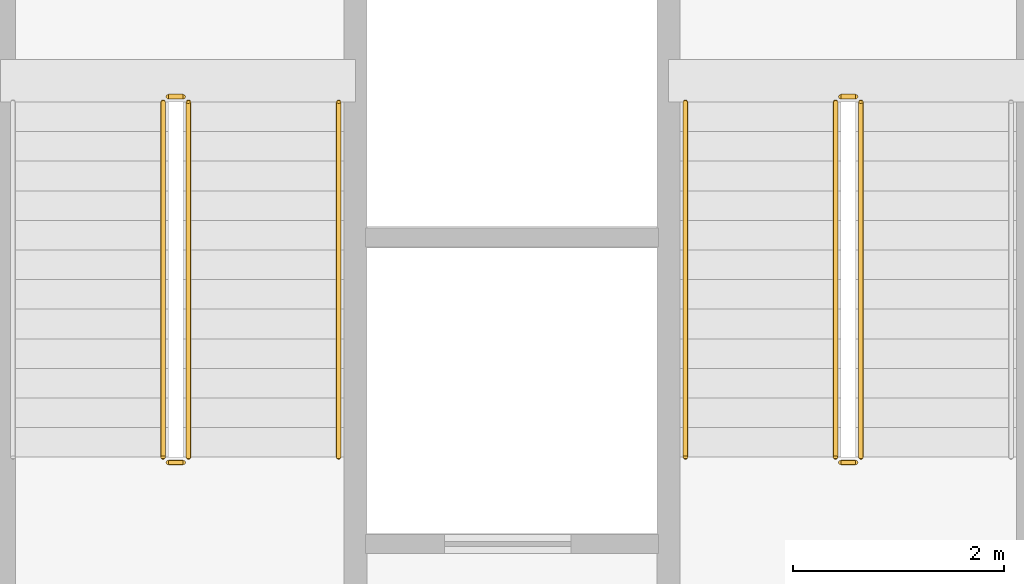
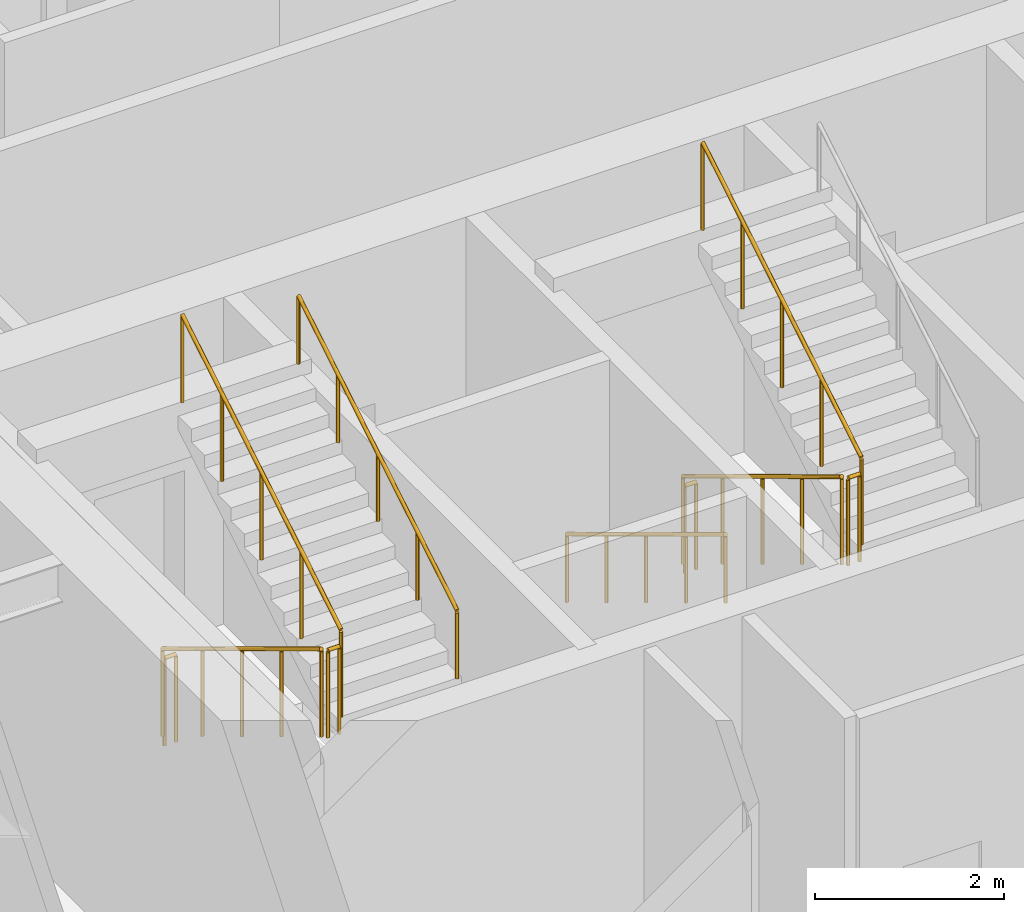
# One storey, part 14 of 16: 10 railings.
"""IFC4 building model written with IfcOpenShell, lengths in metres."""

from ifc_helpers import new_model, si_unit, direction, frame, origin, origin_2d, place, context, subcontext, project, spatial, circle, extrude, material, type_object, element, save


model = new_model("IFC4")

# Units and contexts
model_context = context("Model", 3, precision=1e-05, world=origin(), true_north=direction((0.0, 1.0)))
body_context = subcontext(model_context, "Body", "Model", "MODEL_VIEW")
ifc_project = project(units=[si_unit("LENGTHUNIT", "METRE"), si_unit("AREAUNIT", "SQUARE_METRE"), si_unit("VOLUMEUNIT", "CUBIC_METRE"), si_unit("PLANEANGLEUNIT", "RADIAN"), si_unit("MASSUNIT", "GRAM", prefix="KILO")], contexts=[model_context])

# Site, building, storey
site_placement = place(None, origin())
site = spatial("IfcSite", under=ifc_project, at=site_placement, CompositionType="ELEMENT")
building_placement = place(site_placement, origin())
building = spatial("IfcBuilding", under=site, at=building_placement, Name="Haolan Belvedere Tower", CompositionType="ELEMENT")
storey_placement = place(building_placement, frame((0.0, 0.0, 164.60009765625)))
storey = spatial("IfcBuildingStorey", under=building, at=storey_placement, Name="L41", CompositionType="ELEMENT", Elevation=164.60009765625)

# Railings
ifc_material = material(Name="Brushed stainless steel 304", Category="steel")
railing_type_1 = type_object("IfcRailingType", Name="RL-STAIR-GRD-1150", PredefinedType="GUARDRAIL", material=ifc_material)
railing_1_placement = place(storey_placement, frame((31.919921875, 41.22998046875, 0.169189453125)))
element("IfcRailing", 1, at=railing_1_placement, inside=storey, type_object=railing_type_1, Name="L41 ST1 stair guard 1", PredefinedType="GUARDRAIL", context=body_context, shape_type="SweptSolid", body=[
    extrude(circle(Radius=0.02392578125, at=origin_2d()), frame((0.0, 0.0, 1.1259765625), z_axis=(0.0, -0.855820338506, 0.51727318527), x_axis=(1.0, 0.0, 0.0)), (0.0, 0.0, 1.0), 3.92578125),
    extrude(circle(Radius=0.02099609375, at=origin_2d()), origin(), (0.0, 0.0, 1.0), 1.101806640625),
    extrude(circle(Radius=0.02099609375, at=origin_2d()), frame((0.0, -0.83984375, 0.5078125)), (0.0, 0.0, 1.0), 1.101806640625),
    extrude(circle(Radius=0.02099609375, at=origin_2d()), frame((0.0, -1.679931640625, 1.015380859375)), (0.0, 0.0, 1.0), 1.101806640625),
    extrude(circle(Radius=0.02099609375, at=origin_2d()), frame((0.0, -2.52001953125, 1.52294921875)), (0.0, 0.0, 1.0), 1.101806640625),
    extrude(circle(Radius=0.02099609375, at=origin_2d()), frame((0.0, -3.35986328125, 2.03076171875)), (0.0, 0.0, 1.0), 1.101806640625),
])
railing_2_placement = place(storey_placement, frame((31.969970703125, 37.820068359375, 2.199951171875)))
element("IfcRailing", 2, at=railing_2_placement, inside=storey, type_object=railing_type_1, Name="L41 ST1 stair guard 2", PredefinedType="GUARDRAIL", context=body_context, shape_type="SweptSolid", body=[
    extrude(circle(Radius=0.02392578125, at=origin_2d()), frame((0.0, 0.0, 1.1259765625), z_axis=(1.0, 0.0, 0.0), x_axis=(0.0, 1.0, 0.0)), (0.0, 0.0, 1.0), 0.14013671875),
    extrude(circle(Radius=0.02099609375, at=origin_2d()), origin(), (0.0, 0.0, 1.0), 1.101806640625),
    extrude(circle(Radius=0.02099609375, at=origin_2d()), frame((0.14013671875, 0.0, 0.0)), (0.0, 0.0, 1.0), 1.101806640625),
])
railing_3_placement = place(storey_placement, frame((32.159912109375, 37.8701171875, 2.369140625)))
element("IfcRailing", 3, at=railing_3_placement, inside=storey, type_object=railing_type_1, Name="L41 ST1 stair guard 3", PredefinedType="GUARDRAIL", context=body_context, shape_type="SweptSolid", body=[
    extrude(circle(Radius=0.02392578125, at=origin_2d()), frame((0.0, 0.0, 1.1259765625), z_axis=(0.0, 0.855820338506, 0.51727318527), x_axis=(-1.0, 0.0, 0.0)), (0.0, 0.0, 1.0), 3.92578125),
    extrude(circle(Radius=0.02099609375, at=origin_2d()), origin(), (0.0, 0.0, 1.0), 1.101806640625),
    extrude(circle(Radius=0.02099609375, at=origin_2d()), frame((0.0, 0.83984375, 0.5078125)), (0.0, 0.0, 1.0), 1.101806640625),
    extrude(circle(Radius=0.02099609375, at=origin_2d()), frame((0.0, 1.679931640625, 1.015380859375)), (0.0, 0.0, 1.0), 1.101806640625),
    extrude(circle(Radius=0.02099609375, at=origin_2d()), frame((0.0, 2.52001953125, 1.52294921875)), (0.0, 0.0, 1.0), 1.101806640625),
    extrude(circle(Radius=0.02099609375, at=origin_2d()), frame((0.0, 3.35986328125, 2.03076171875)), (0.0, 0.0, 1.0), 1.101806640625),
])
railing_4_placement = place(storey_placement, frame((31.969970703125, 41.280029296875, 0.0)))
element("IfcRailing", 4, at=railing_4_placement, inside=storey, type_object=railing_type_1, Name="L41 ST1 stair guard 4", PredefinedType="GUARDRAIL", context=body_context, shape_type="SweptSolid", body=[
    extrude(circle(Radius=0.02392578125, at=origin_2d()), frame((0.0, 0.0, 1.1259765625), z_axis=(1.0, 0.0, 0.0), x_axis=(0.0, 1.0, 0.0)), (0.0, 0.0, 1.0), 0.14013671875),
    extrude(circle(Radius=0.02099609375, at=origin_2d()), origin(), (0.0, 0.0, 1.0), 1.101806640625),
    extrude(circle(Radius=0.02099609375, at=origin_2d()), frame((0.14013671875, 0.0, 0.0)), (0.0, 0.0, 1.0), 1.101806640625),
])
railing_5_placement = place(storey_placement, frame((38.280029296875, 41.22998046875, 0.169189453125)))
element("IfcRailing", 5, at=railing_5_placement, inside=storey, type_object=railing_type_1, Name="L41 ST3 stair guard 1", PredefinedType="GUARDRAIL", context=body_context, shape_type="SweptSolid", body=[
    extrude(circle(Radius=0.02392578125, at=origin_2d()), frame((0.0, 0.0, 1.1259765625), z_axis=(0.0, -0.855820338506, 0.51727318527), x_axis=(1.0, 0.0, 0.0)), (0.0, 0.0, 1.0), 3.92578125),
    extrude(circle(Radius=0.02099609375, at=origin_2d()), origin(), (0.0, 0.0, 1.0), 1.101806640625),
    extrude(circle(Radius=0.02099609375, at=origin_2d()), frame((0.0, -0.83984375, 0.5078125)), (0.0, 0.0, 1.0), 1.101806640625),
    extrude(circle(Radius=0.02099609375, at=origin_2d()), frame((0.0, -1.679931640625, 1.015380859375)), (0.0, 0.0, 1.0), 1.101806640625),
    extrude(circle(Radius=0.02099609375, at=origin_2d()), frame((0.0, -2.52001953125, 1.52294921875)), (0.0, 0.0, 1.0), 1.101806640625),
    extrude(circle(Radius=0.02099609375, at=origin_2d()), frame((0.0, -3.35986328125, 2.03076171875)), (0.0, 0.0, 1.0), 1.101806640625),
])
railing_6_placement = place(storey_placement, frame((38.330078125, 37.820068359375, 2.199951171875)))
element("IfcRailing", 6, at=railing_6_placement, inside=storey, type_object=railing_type_1, Name="L41 ST3 stair guard 2", PredefinedType="GUARDRAIL", context=body_context, shape_type="SweptSolid", body=[
    extrude(circle(Radius=0.02392578125, at=origin_2d()), frame((0.0, 0.0, 1.1259765625), z_axis=(1.0, 0.0, 0.0), x_axis=(0.0, 1.0, 0.0)), (0.0, 0.0, 1.0), 0.139892578125),
    extrude(circle(Radius=0.02099609375, at=origin_2d()), origin(), (0.0, 0.0, 1.0), 1.101806640625),
    extrude(circle(Radius=0.02099609375, at=origin_2d()), frame((0.139892578125, 0.0, 0.0)), (0.0, 0.0, 1.0), 1.101806640625),
])
railing_7_placement = place(storey_placement, frame((38.52001953125, 37.8701171875, 2.369140625)))
element("IfcRailing", 7, at=railing_7_placement, inside=storey, type_object=railing_type_1, Name="L41 ST3 stair guard 3", PredefinedType="GUARDRAIL", context=body_context, shape_type="SweptSolid", body=[
    extrude(circle(Radius=0.02392578125, at=origin_2d()), frame((0.0, 0.0, 1.1259765625), z_axis=(0.0, 0.855820338506, 0.51727318527), x_axis=(-1.0, 0.0, 0.0)), (0.0, 0.0, 1.0), 3.92578125),
    extrude(circle(Radius=0.02099609375, at=origin_2d()), origin(), (0.0, 0.0, 1.0), 1.101806640625),
    extrude(circle(Radius=0.02099609375, at=origin_2d()), frame((0.0, 0.83984375, 0.5078125)), (0.0, 0.0, 1.0), 1.101806640625),
    extrude(circle(Radius=0.02099609375, at=origin_2d()), frame((0.0, 1.679931640625, 1.015380859375)), (0.0, 0.0, 1.0), 1.101806640625),
    extrude(circle(Radius=0.02099609375, at=origin_2d()), frame((0.0, 2.52001953125, 1.52294921875)), (0.0, 0.0, 1.0), 1.101806640625),
    extrude(circle(Radius=0.02099609375, at=origin_2d()), frame((0.0, 3.35986328125, 2.03076171875)), (0.0, 0.0, 1.0), 1.101806640625),
])
railing_8_placement = place(storey_placement, frame((38.330078125, 41.280029296875, 0.0)))
element("IfcRailing", 8, at=railing_8_placement, inside=storey, type_object=railing_type_1, Name="L41 ST3 stair guard 4", PredefinedType="GUARDRAIL", context=body_context, shape_type="SweptSolid", body=[
    extrude(circle(Radius=0.02392578125, at=origin_2d()), frame((0.0, 0.0, 1.1259765625), z_axis=(1.0, 0.0, 0.0), x_axis=(0.0, 1.0, 0.0)), (0.0, 0.0, 1.0), 0.139892578125),
    extrude(circle(Radius=0.02099609375, at=origin_2d()), origin(), (0.0, 0.0, 1.0), 1.101806640625),
    extrude(circle(Radius=0.02099609375, at=origin_2d()), frame((0.139892578125, 0.0, 0.0)), (0.0, 0.0, 1.0), 1.101806640625),
])
railing_type_2 = type_object("IfcRailingType", Name="RL-STAIR-HND-900", PredefinedType="HANDRAIL", material=ifc_material)
railing_9_placement = place(storey_placement, frame((33.580078125, 37.8701171875, 2.369140625)))
element("IfcRailing", 9, at=railing_9_placement, inside=storey, type_object=railing_type_2, Name="L41 ST1 stair handrail 2", PredefinedType="HANDRAIL", context=body_context, shape_type="SweptSolid", body=[
    extrude(circle(Radius=0.02392578125, at=origin_2d()), frame((0.0, 0.0, 0.8759765625), z_axis=(0.0, 0.855820338506, 0.51727318527), x_axis=(-1.0, 0.0, 0.0)), (0.0, 0.0, 1.0), 3.92578125),
    extrude(circle(Radius=0.02099609375, at=origin_2d()), origin(), (0.0, 0.0, 1.0), 0.851806640625),
    extrude(circle(Radius=0.02099609375, at=origin_2d()), frame((0.0, 0.83984375, 0.5078125)), (0.0, 0.0, 1.0), 0.851806640625),
    extrude(circle(Radius=0.02099609375, at=origin_2d()), frame((0.0, 1.679931640625, 1.015380859375)), (0.0, 0.0, 1.0), 0.851806640625),
    extrude(circle(Radius=0.02099609375, at=origin_2d()), frame((0.0, 2.52001953125, 1.52294921875)), (0.0, 0.0, 1.0), 0.851806640625),
    extrude(circle(Radius=0.02099609375, at=origin_2d()), frame((0.0, 3.35986328125, 2.03076171875)), (0.0, 0.0, 1.0), 0.851806640625),
])
railing_10_placement = place(storey_placement, frame((36.860107421875, 41.22998046875, 0.169189453125)))
element("IfcRailing", 10, at=railing_10_placement, inside=storey, type_object=railing_type_2, Name="L41 ST3 stair handrail 1", PredefinedType="HANDRAIL", context=body_context, shape_type="SweptSolid", body=[
    extrude(circle(Radius=0.02392578125, at=origin_2d()), frame((0.0, 0.0, 0.8759765625), z_axis=(0.0, -0.855820338506, 0.51727318527), x_axis=(1.0, 0.0, 0.0)), (0.0, 0.0, 1.0), 3.92578125),
    extrude(circle(Radius=0.02099609375, at=origin_2d()), origin(), (0.0, 0.0, 1.0), 0.851806640625),
    extrude(circle(Radius=0.02099609375, at=origin_2d()), frame((0.0, -0.83984375, 0.5078125)), (0.0, 0.0, 1.0), 0.851806640625),
    extrude(circle(Radius=0.02099609375, at=origin_2d()), frame((0.0, -1.679931640625, 1.015380859375)), (0.0, 0.0, 1.0), 0.851806640625),
    extrude(circle(Radius=0.02099609375, at=origin_2d()), frame((0.0, -2.52001953125, 1.52294921875)), (0.0, 0.0, 1.0), 0.851806640625),
    extrude(circle(Radius=0.02099609375, at=origin_2d()), frame((0.0, -3.35986328125, 2.03076171875)), (0.0, 0.0, 1.0), 0.851806640625),
])

save(model, "model.ifc")
